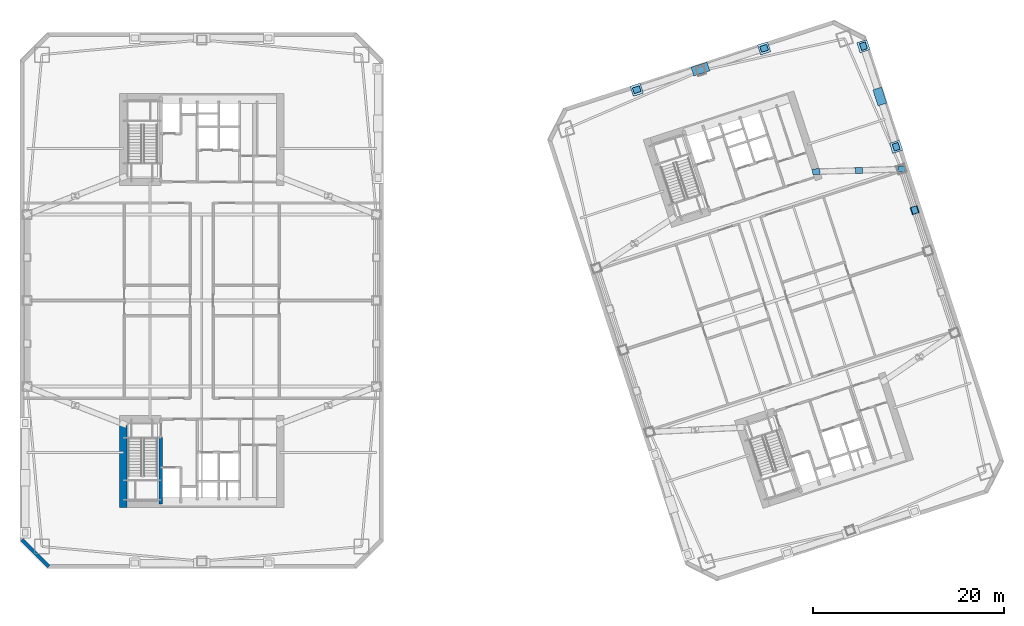
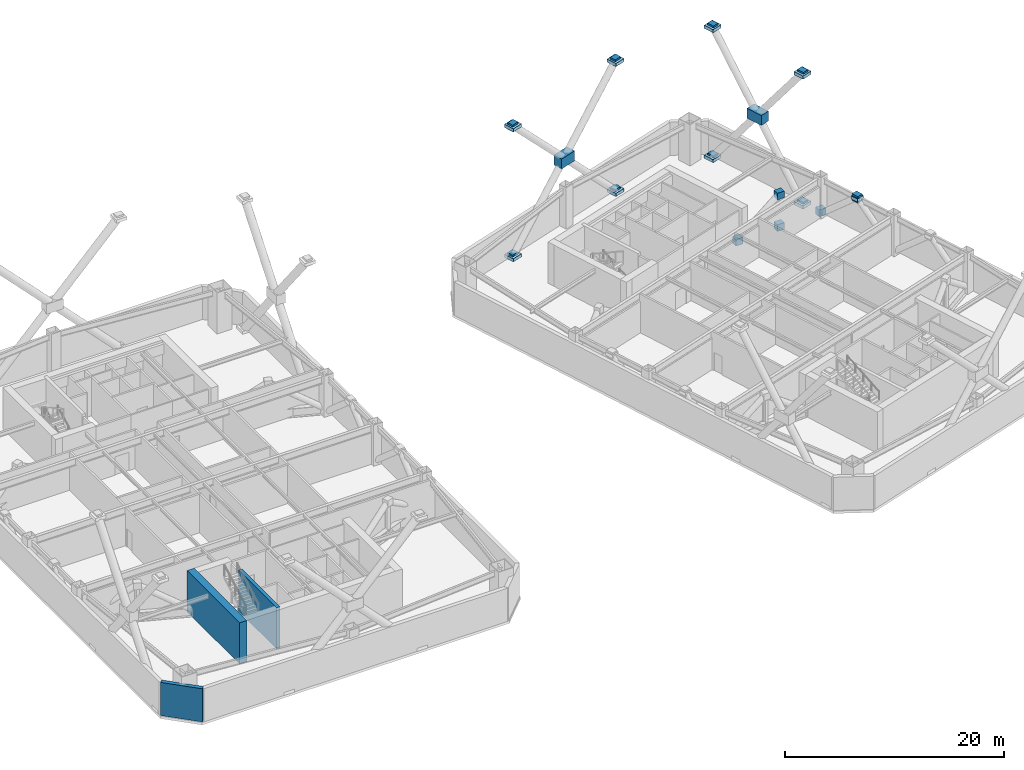
# One storey, part 11 of 19: 24 plates, 3 walls.
"""IFC4 building model written with IfcOpenShell, lengths in metres."""

from ifc_helpers import new_model, si_unit, direction, frame, frame_2d, origin, origin_2d, place, context, subcontext, project, spatial, rectangle, extrude, material, layer, layer_set, type_object, element, save


model = new_model("IFC4")

# Units and contexts
model_context = context("Model", 3, precision=1e-05, world=origin(), true_north=direction((0.0, 1.0)))
body_context = subcontext(model_context, "Body", "Model", "MODEL_VIEW")
ifc_project = project(units=[si_unit("LENGTHUNIT", "METRE"), si_unit("AREAUNIT", "SQUARE_METRE"), si_unit("VOLUMEUNIT", "CUBIC_METRE"), si_unit("PLANEANGLEUNIT", "RADIAN"), si_unit("MASSUNIT", "GRAM", prefix="KILO")], contexts=[model_context])

# Site, building, storey
site_placement = place(None, origin())
site = spatial("IfcSite", under=ifc_project, at=site_placement, CompositionType="ELEMENT")
building_placement = place(site_placement, origin())
building = spatial("IfcBuilding", under=site, at=building_placement, Name="Qiaolan Cultural Towers", CompositionType="ELEMENT")
storey_placement = place(building_placement, frame((0.0, 0.0, 92.0)))
storey = spatial("IfcBuildingStorey", under=building, at=storey_placement, Name="L23", CompositionType="ELEMENT", Elevation=92.0)

# Plates
ifc_material_1 = material(Name="Steel Q355B", Category="steel")
ifc_layer_1 = layer(ifc_material_1, 0.035888671875)
ifc_layer_set_1 = layer_set([ifc_layer_1], Name="Steel Q355B")
plate_type_1 = type_object("IfcPlateType", Name="PL-CONN-36", PredefinedType="USERDEFINED", material=ifc_layer_set_1)
for number, where, z_axis, x_axis, name in (
    (1, (102.59765625, 50.079833984375, -0.22021484375), (0.0, 0.0, 1.0), (-0.309016994375, 0.951056516295, 0.0), "L23 Brace End Connection Gusset Plate GP-02-0472"),
    (2, (99.182861328125, 60.589111328125, 14.27978515625), (0.0, 0.0, 1.0), (-0.309016994375, 0.951056516295, 0.0), "L23 Brace End Connection Gusset Plate GP-02-0473"),
    (3, (99.182861328125, 60.589111328125, -0.22021484375), (0.0, 0.0, 1.0), (-0.309016994375, 0.951056516295, 0.0), "L23 Brace End Connection Gusset Plate GP-02-0474"),
    (4, (102.59765625, 50.079833984375, 14.27978515625), (0.0, 0.0, 1.0), (-0.309016994375, 0.951056516295, 0.0), "L23 Brace End Connection Gusset Plate GP-02-0475"),
    (5, (75.47802734375, 56.041259765625, -0.22021484375), (0.0, 0.0, 1.0), (0.951056510902, 0.309017010974, 0.0), "L23 Brace End Connection Gusset Plate GP-02-0480"),
    (6, (88.79296875, 60.367431640625, 14.27978515625), (0.0, 0.0, 1.0), (0.951056510902, 0.309017010974, 0.0), "L23 Brace End Connection Gusset Plate GP-02-0481"),
    (7, (88.79296875, 60.367431640625, -0.22021484375), (0.0, 0.0, 1.0), (0.951056510902, 0.309017010974, 0.0), "L23 Brace End Connection Gusset Plate GP-02-0482"),
    (8, (75.47802734375, 56.041259765625, 14.27978515625), (0.0, 0.0, 1.0), (0.951056510902, 0.309017010974, 0.0), "L23 Brace End Connection Gusset Plate GP-02-0483"),
    (9, (94.244873046875, 47.47119140625, 0.1298828125), (0.0, 0.0, 1.0), (0.999559237017, 0.029687231148, 0.0), "L23 Brace End Connection Gusset Plate GP-02-0682"),
    (10, (98.697021484375, 47.603271484375, 3.64990234375), (0.0, 0.0, 1.0), (0.999559237017, 0.029687231148, 0.0), "L23 Brace End Connection Gusset Plate GP-02-0683"),
    (11, (103.14892578125, 47.735595703125, 0.1298828125), (0.0, 0.0, 1.0), (0.999559237017, 0.029687231148, 0.0), "L23 Brace End Connection Gusset Plate GP-02-0684"),
    (12, (98.697021484375, 47.603271484375, 0.1298828125), (0.0, 0.0, 1.0), (1.0, 0.0, 0.0), "L23 Brace End Connection Gusset Plate GP-02-0685"),
    (13, (104.53955078125, 43.455810546875, 3.75), (0.0, 0.0, 1.0), (-0.309017027573, 0.951056505508, 0.0), "L23 Brace End Connection Gusset Plate GP-02-0691"),
):
    element("IfcPlate", number, at=place(storey_placement, frame(where, z_axis=z_axis, x_axis=x_axis)), inside=storey, type_object=plate_type_1, Name=name, ObjectType="GUSSET_PLATE", PredefinedType="USERDEFINED", context=body_context, shape_type="SweptSolid", body=[
        extrude(rectangle(XDim=0.739990234375, YDim=0.6201171875, at=origin_2d()), origin(), (0.0, 0.0, 1.0), 0.739990234375),
    ])
ifc_material_2 = material(Name="Steel Q355B", Category="steel")
ifc_layer_2 = layer(ifc_material_2, 0.030029296875)
ifc_layer_set_2 = layer_set([ifc_layer_2], Name="Steel Q355B")
plate_type_2 = type_object("IfcPlateType", Name="PL-ENDCAP-30", PredefinedType="USERDEFINED", material=ifc_layer_set_2)
for number, where, z_axis, x_axis, name in (
    (14, (102.59765625, 50.079833984375, -0.025146484375), (0.0, 0.0, 1.0), (-0.309016994375, 0.951056516295, 0.0), "Hollow Brace End Seal Cap Plate CP-01"),
    (15, (99.182861328125, 60.589111328125, -0.025146484375), (0.0, 0.0, 1.0), (-0.309016994375, 0.951056516295, 0.0), "Hollow Brace End Seal Cap Plate CP-01"),
    (16, (102.59765625, 50.079833984375, 14.474853515625), (0.0, 0.0, 1.0), (-0.309016994375, 0.951056516295, 0.0), "Hollow Brace End Seal Cap Plate CP-01"),
    (17, (99.182861328125, 60.589111328125, 14.474853515625), (0.0, 0.0, 1.0), (-0.309016994375, 0.951056516295, 0.0), "Hollow Brace End Seal Cap Plate CP-01"),
    (18, (75.47802734375, 56.041259765625, -0.025146484375), (0.0, 0.0, 1.0), (0.951056516295, 0.309016994375, 0.0), "Hollow Brace End Seal Cap Plate CP-01"),
    (19, (88.79296875, 60.367431640625, -0.025146484375), (0.0, 0.0, 1.0), (0.951056516295, 0.309016994375, 0.0), "Hollow Brace End Seal Cap Plate CP-01"),
    (20, (75.47802734375, 56.041259765625, 14.474853515625), (0.0, 0.0, 1.0), (0.951056516295, 0.309016994375, 0.0), "Hollow Brace End Seal Cap Plate CP-01"),
    (21, (88.79296875, 60.367431640625, 14.474853515625), (0.0, 0.0, 1.0), (0.951056516295, 0.309016994375, 0.0), "Hollow Brace End Seal Cap Plate CP-01"),
):
    element("IfcPlate", number, at=place(storey_placement, frame(where, z_axis=z_axis, x_axis=x_axis)), inside=storey, type_object=plate_type_2, Name=name, ObjectType="BASE_PLATE", PredefinedType="USERDEFINED", context=body_context, shape_type="SweptSolid", body=[
        extrude(rectangle(XDim=1.10009765625, YDim=1.10009765625, at=origin_2d()), origin(), (0.0, 0.0, 1.0), 0.35009765625),
    ])
plate_1_placement = place(storey_placement, frame((104.53955078125, 43.455810546875, 3.945068359375), z_axis=(0.0, 0.0, 1.0), x_axis=(0.951056516295, 0.309016994375, 0.0)))
element("IfcPlate", 22, at=plate_1_placement, inside=storey, type_object=plate_type_2, Name="Belt Truss Apex Seal Plate CP-01", ObjectType="BASE_PLATE", PredefinedType="USERDEFINED", context=body_context, shape_type="SweptSolid", body=[
    extrude(rectangle(XDim=0.800048828125, YDim=0.800048828125, at=origin_2d()), origin(), (0.0, 0.0, 1.0), 0.35009765625),
])
ifc_material_3 = material(Name="Steel Q390GJB", Category="steel")
ifc_layer_3 = layer(ifc_material_3, 0.0458984375)
ifc_layer_set_3 = layer_set([ifc_layer_3], Name="Steel Q390GJB")
plate_type_3 = type_object("IfcPlateType", Name="PL-NODE-ND03", PredefinedType="USERDEFINED", material=ifc_layer_set_3)
plate_2_placement = place(storey_placement, frame((100.890380859375, 55.33447265625, 6.849853515625), z_axis=(0.0, 0.0, 1.0), x_axis=(-0.309016994375, 0.951056516295, 0.0)))
element("IfcPlate", 23, at=plate_2_placement, inside=storey, type_object=plate_type_3, Name="Perimeter Frame Gusset Node Assembly ND-03", ObjectType="GUSSET_PLATE", PredefinedType="USERDEFINED", context=body_context, shape_type="SweptSolid", body=[
    extrude(rectangle(XDim=1.760009765625, YDim=0.9599609375, at=origin_2d()), origin(), (0.0, 0.0, 1.0), 1.10009765625),
])
ifc_material_4 = material(Name="Steel Q390GJB", Category="steel")
ifc_layer_4 = layer(ifc_material_4, 0.0419921875)
ifc_layer_set_4 = layer_set([ifc_layer_4], Name="Steel Q390GJB")
plate_type_4 = type_object("IfcPlateType", Name="PL-NODE-ND05", PredefinedType="USERDEFINED", material=ifc_layer_set_4)
plate_3_placement = place(storey_placement, frame((82.135498046875, 58.204345703125, 6.849853515625), z_axis=(0.0, 0.0, 1.0), x_axis=(0.951056516295, 0.309016994375, 0.0)))
element("IfcPlate", 24, at=plate_3_placement, inside=storey, type_object=plate_type_4, Name="Perimeter Frame Gusset Node Assembly ND-05", ObjectType="GUSSET_PLATE", PredefinedType="USERDEFINED", context=body_context, shape_type="SweptSolid", body=[
    extrude(rectangle(XDim=1.760009765625, YDim=0.9599609375, at=origin_2d()), origin(), (0.0, 0.0, 1.0), 1.10009765625),
])

# Walls
ifc_material_5 = material(Name="Concrete C50", Category="concrete")
ifc_layer_5 = layer(ifc_material_5, 0.35009765625)
ifc_layer_set_5 = layer_set([ifc_layer_5], Name="Concrete C50")
wall_type_1 = type_object("IfcWallType", Name="WL-CORE-350", PredefinedType="SHEAR", material=ifc_layer_set_5)
wall_1_placement = place(storey_placement, frame((25.719970703125, 19.699951171875, 0.0), z_axis=(0.0, 0.0, 1.0), x_axis=(0.0, -1.0, 0.0)))
element("IfcWall", 25, at=wall_1_placement, inside=storey, type_object=wall_type_1, Name="L23 T1-CS Stair Core Dividing Web", PredefinedType="SHEAR", context=body_context, shape_type="SweptSolid", body=[
    extrude(rectangle(XDim=6.97998046875, YDim=0.35009765625, at=frame_2d((3.489990234375, 0.0))), origin(), (0.0, 0.0, 1.0), 4.60009765625),
])
ifc_material_6 = material(Name="Concrete C60", Category="concrete")
ifc_layer_6 = layer(ifc_material_6, 0.75)
ifc_layer_set_6 = layer_set([ifc_layer_6], Name="Concrete C60")
wall_type_2 = type_object("IfcWallType", Name="WL-CORE-750", PredefinedType="SHEAR", material=ifc_layer_set_6)
wall_2_placement = place(storey_placement, frame((21.800048828125, 21.97509765625, 0.0), z_axis=(0.0, 0.0, 1.0), x_axis=(0.0, -1.0, 0.0)))
element("IfcWall", 26, at=wall_2_placement, inside=storey, type_object=wall_type_2, Name="L23 T1-CS West Core Shear Wall", PredefinedType="SHEAR", context=body_context, shape_type="SweptSolid", body=[
    extrude(rectangle(XDim=9.630126953125, YDim=0.75, at=frame_2d((4.81494140625, 0.0))), origin(), (0.0, 0.0, 1.0), 4.60009765625),
])
ifc_material_7 = material(Name="Precast Concrete C50 Honed Stone Pier", Category="masonry")
ifc_layer_7 = layer(ifc_material_7, 0.39990234375)
ifc_layer_set_7 = layer_set([ifc_layer_7], Name="Precast Concrete C50 Honed Stone Pier")
wall_type_3 = type_object("IfcWallType", Name="WL-EXT-PIER-400", PredefinedType="SOLIDWALL", material=ifc_layer_set_7)
wall_3_placement = place(storey_placement, frame((14.0, 6.199951171875, 0.0), z_axis=(0.0, 0.0, 1.0), x_axis=(-0.707106781187, 0.707106781187, 0.0)))
element("IfcWall", 27, at=wall_3_placement, inside=storey, type_object=wall_type_3, Name="L23 West Tower Precast Pier Facade Wall F8", PredefinedType="SOLIDWALL", context=body_context, shape_type="SweptSolid", body=[
    extrude(rectangle(XDim=3.9599609375, YDim=0.39990234375, at=frame_2d((1.97998046875, 0.0))), origin(), (0.0, 0.0, 1.0), 3.699951171875),
])

save(model, "model.ifc")
